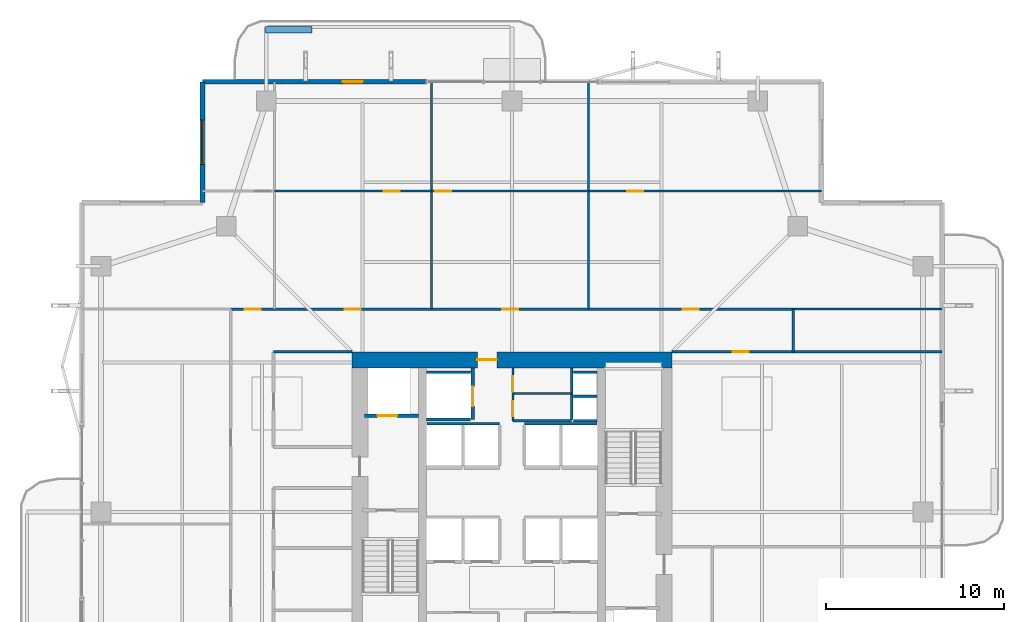
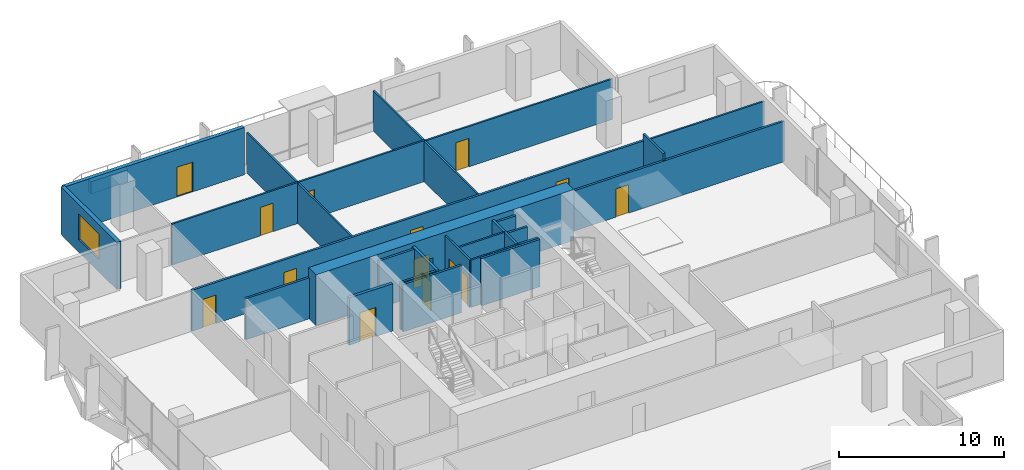
# One storey, part 20 of 25: 27 walls, 14 doors, 1 window, 15 openings.
"""IFC4 building model written with IfcOpenShell, lengths in metres."""

from ifc_helpers import new_model, si_unit, direction, frame, frame_2d, origin, place, context, subcontext, project, spatial, rectangle, extrude, material, layer, layer_set, type_object, element, fill, save


model = new_model("IFC4")

# Units and contexts
model_context = context("Model", 3, precision=1e-05, world=origin(), true_north=direction((0.0, 1.0)))
body_context = subcontext(model_context, "Body", "Model", "MODEL_VIEW")
ifc_project = project(units=[si_unit("LENGTHUNIT", "METRE"), si_unit("AREAUNIT", "SQUARE_METRE"), si_unit("VOLUMEUNIT", "CUBIC_METRE"), si_unit("PLANEANGLEUNIT", "RADIAN"), si_unit("MASSUNIT", "GRAM", prefix="KILO")], contexts=[model_context])

# Site, building, storey
site_placement = place(None, origin())
site = spatial("IfcSite", under=ifc_project, at=site_placement, CompositionType="ELEMENT")
building_placement = place(site_placement, origin())
building = spatial("IfcBuilding", under=site, at=building_placement, Name="Belovzor Exchange Tower", CompositionType="ELEMENT")
storey_placement = place(building_placement, frame((0.0, 0.0, 164.550048828125)))
storey = spatial("IfcBuildingStorey", under=building, at=storey_placement, Name="L40", CompositionType="ELEMENT", Elevation=164.550048828125)

# Wall, opening, door
ifc_material_1 = material(Name="Acoustic Plasterboard on Galvanised Studs", Category="gypsum")
ifc_layer_1 = layer(ifc_material_1, 0.1201171875)
ifc_layer_set_1 = layer_set([ifc_layer_1], Name="Acoustic Plasterboard on Galvanised Studs")
wall_type_1 = type_object("IfcWallType", Name="Acoustic Double-Stud Partition Wall 120", PredefinedType="PARTITIONING", material=ifc_layer_set_1)
wall_1_placement = place(storey_placement, frame((15.443115234375, 46.833984375, 0.0), z_axis=(0.0, 0.0, 1.0), x_axis=(1.0, 0.0, 0.0)))
wall_1 = element("IfcWall", 1, at=wall_1_placement, inside=storey, type_object=wall_type_1, Name="W-P120 Partition Wall W-L40-NHDIV-1", PredefinedType="PARTITIONING", context=body_context, shape_type="SweptSolid", body=[
    extrude(rectangle(XDim=8.830810546875, YDim=0.1201171875, at=frame_2d((4.41552734375, 0.0))), origin(), (0.0, 0.0, 1.0), 3.030029296875),
])
opening_1_placement = place(wall_1_placement, frame((6.162109375, 0.0, 0.0)))
opening_1 = element("IfcOpeningElement", 2, at=opening_1_placement, cuts=wall_1, Name="Opening D-INT-090", PredefinedType="OPENING", context=body_context, shape_type="SweptSolid", body=[
    extrude(rectangle(XDim=0.89990234375, YDim=2.10009765625, at=frame_2d((0.449951171875, 1.050048828125))), frame((0.0, 0.070068359375, 0.0), z_axis=(0.0, -1.0, 0.0), x_axis=(1.0, 0.0, 0.0)), (0.0, 0.0, 1.0), 0.14013671875),
])
ifc_material_2 = material(Name="Veneered Hardwood Acoustic Leaf", Category="wood")
door_type_1 = type_object("IfcDoorType", Name="Trading Suite Acoustic Single Door 900x2100", OperationType="NOTDEFINED", PredefinedType="DOOR", material=ifc_material_2)
door_1_placement = place(opening_1_placement, origin())
door_1 = element("IfcDoor", 3, at=door_1_placement, inside=storey, type_object=door_type_1, Name="D-INT-090 Trading Suite Acoustic Single Door 900x2100", OperationType="SINGLE_SWING_RIGHT", OverallHeight=2.10009765625, OverallWidth=0.89990234375, PredefinedType="DOOR", context=body_context, shape_type="SweptSolid", body=[
    extrude(rectangle(XDim=0.89990234375, YDim=2.10009765625, at=frame_2d((0.449951171875, 1.050048828125))), frame((0.0, 0.02490234375, 0.0), z_axis=(0.0, -1.0, 0.0), x_axis=(1.0, 0.0, 0.0)), (0.0, 0.0, 1.0), 0.050048828125),
])
fill(opening_1, door_1)

# Wall
wall_2_placement = place(storey_placement, frame((24.27392578125, 40.199951171875, 0.0), z_axis=(0.0, 0.0, 1.0), x_axis=(0.0, 1.0, 0.0)))
element("IfcWall", 4, at=wall_2_placement, inside=storey, type_object=wall_type_1, Name="W-P120 Partition Wall W-L40-NDIV-2", PredefinedType="PARTITIONING", context=body_context, shape_type="SweptSolid", body=[
    extrude(rectangle(XDim=12.77001953125, YDim=0.1201171875, at=frame_2d((6.385009765625, 0.0))), origin(), (0.0, 0.0, 1.0), 2.97998046875),
])

# Wall, opening, door
wall_3_placement = place(storey_placement, frame((24.27392578125, 46.833984375, 0.0), z_axis=(0.0, 0.0, 1.0), x_axis=(1.0, 0.0, 0.0)))
wall_3 = element("IfcWall", 5, at=wall_3_placement, inside=storey, type_object=wall_type_1, Name="W-P120 Partition Wall W-L40-NHDIV-2", PredefinedType="PARTITIONING", context=body_context, shape_type="SweptSolid", body=[
    extrude(rectangle(XDim=8.8310546875, YDim=0.1201171875, at=frame_2d((4.41552734375, 0.0))), origin(), (0.0, 0.0, 1.0), 3.030029296875),
])
opening_2_placement = place(wall_3_placement, frame((0.199951171875, 0.0, 0.0)))
opening_2 = element("IfcOpeningElement", 6, at=opening_2_placement, cuts=wall_3, Name="Opening D-INT-090", PredefinedType="OPENING", context=body_context, shape_type="SweptSolid", body=[
    extrude(rectangle(XDim=0.89990234375, YDim=2.10009765625, at=frame_2d((0.449951171875, 1.050048828125))), frame((0.0, 0.070068359375, 0.0), z_axis=(0.0, -1.0, 0.0), x_axis=(1.0, 0.0, 0.0)), (0.0, 0.0, 1.0), 0.14013671875),
])
door_2_placement = place(opening_2_placement, origin())
door_2 = element("IfcDoor", 7, at=door_2_placement, inside=storey, type_object=door_type_1, Name="D-INT-090 Trading Suite Acoustic Single Door 900x2100", OperationType="SINGLE_SWING_RIGHT", OverallHeight=2.10009765625, OverallWidth=0.89990234375, PredefinedType="DOOR", context=body_context, shape_type="SweptSolid", body=[
    extrude(rectangle(XDim=0.89990234375, YDim=2.10009765625, at=frame_2d((0.449951171875, 1.050048828125))), frame((0.0, 0.02490234375, 0.0), z_axis=(0.0, -1.0, 0.0), x_axis=(1.0, 0.0, 0.0)), (0.0, 0.0, 1.0), 0.050048828125),
])
fill(opening_2, door_2)

# Wall
wall_4_placement = place(storey_placement, frame((33.10498046875, 40.199951171875, 0.0), z_axis=(0.0, 0.0, 1.0), x_axis=(0.0, 1.0, 0.0)))
element("IfcWall", 8, at=wall_4_placement, inside=storey, type_object=wall_type_1, Name="W-P120 Partition Wall W-L40-NDIV-3", PredefinedType="PARTITIONING", context=body_context, shape_type="SweptSolid", body=[
    extrude(rectangle(XDim=12.77001953125, YDim=0.1201171875, at=frame_2d((6.385009765625, 0.0))), origin(), (0.0, 0.0, 1.0), 2.97998046875),
])

# Wall, opening, door
wall_5_placement = place(storey_placement, frame((33.10498046875, 46.833984375, 0.0), z_axis=(0.0, 0.0, 1.0), x_axis=(1.0, 0.0, 0.0)))
wall_5 = element("IfcWall", 9, at=wall_5_placement, inside=storey, type_object=wall_type_1, Name="W-P120 Partition Wall W-L40-NHDIV-3", PredefinedType="PARTITIONING", context=body_context, shape_type="SweptSolid", body=[
    extrude(rectangle(XDim=13.094970703125, YDim=0.1201171875, at=frame_2d((6.54736328125, 0.0))), origin(), (0.0, 0.0, 1.0), 2.97998046875),
])
opening_3_placement = place(wall_5_placement, frame((2.166015625, 0.0, 0.0)))
opening_3 = element("IfcOpeningElement", 10, at=opening_3_placement, cuts=wall_5, Name="Opening D-INT-090", PredefinedType="OPENING", context=body_context, shape_type="SweptSolid", body=[
    extrude(rectangle(XDim=0.89990234375, YDim=2.10009765625, at=frame_2d((0.449951171875, 1.050048828125))), frame((0.0, 0.070068359375, 0.0), z_axis=(0.0, -1.0, 0.0), x_axis=(1.0, 0.0, 0.0)), (0.0, 0.0, 1.0), 0.14013671875),
])
door_3_placement = place(opening_3_placement, origin())
door_3 = element("IfcDoor", 11, at=door_3_placement, inside=storey, type_object=door_type_1, Name="D-INT-090 Trading Suite Acoustic Single Door 900x2100", OperationType="SINGLE_SWING_RIGHT", OverallHeight=2.10009765625, OverallWidth=0.89990234375, PredefinedType="DOOR", context=body_context, shape_type="SweptSolid", body=[
    extrude(rectangle(XDim=0.89990234375, YDim=2.10009765625, at=frame_2d((0.449951171875, 1.050048828125))), frame((0.0, 0.02490234375, 0.0), z_axis=(0.0, -1.0, 0.0), x_axis=(1.0, 0.0, 0.0)), (0.0, 0.0, 1.0), 0.050048828125),
])
fill(opening_3, door_3)

# Wall
wall_6_placement = place(storey_placement, frame((44.60009765625, 40.199951171875, 0.0), z_axis=(0.0, 0.0, 1.0), x_axis=(1.0, 0.0, 0.0)))
element("IfcWall", 12, at=wall_6_placement, inside=storey, type_object=wall_type_1, Name="W-P120 Partition Wall W-L40-END-NE", PredefinedType="PARTITIONING", context=body_context, shape_type="SweptSolid", body=[
    extrude(rectangle(XDim=8.369873046875, YDim=0.1201171875, at=frame_2d((4.18505859375, 0.0))), origin(), (0.0, 0.0, 1.0), 2.97998046875),
])

# Wall, openings, doors
ifc_material_3 = material(Name="Fire-Rated Plasterboard on Galvanised Studs", Category="gypsum")
ifc_layer_2 = layer(ifc_material_3, 0.1201171875)
ifc_layer_set_2 = layer_set([ifc_layer_2], Name="Fire-Rated Plasterboard on Galvanised Studs")
wall_type_2 = type_object("IfcWallType", Name="Fire-Rated Double-Stud Partition Wall 120", PredefinedType="PARTITIONING", material=ifc_layer_set_2)
wall_7_placement = place(storey_placement, frame((28.85009765625, 33.925048828125, 0.0), z_axis=(0.0, 0.0, 1.0), x_axis=(0.0, 1.0, 0.0)))
wall_7 = element("IfcWall", 13, at=wall_7_placement, inside=storey, type_object=wall_type_2, Name="W-P120F Partition Wall W-CRV-L40-W", PredefinedType="PARTITIONING", context=body_context, shape_type="SweptSolid", body=[
    extrude(rectangle(XDim=2.974853515625, YDim=0.1201171875, at=frame_2d((1.4873046875, 0.0))), origin(), (0.0, 0.0, 1.0), 3.494873046875),
])
opening_4_placement = place(wall_7_placement, frame((0.25, 0.0, 0.0)))
opening_4 = element("IfcOpeningElement", 14, at=opening_4_placement, cuts=wall_7, Name="Opening D-FD60-085", PredefinedType="OPENING", context=body_context, shape_type="SweptSolid", body=[
    extrude(rectangle(XDim=0.85009765625, YDim=2.10009765625, at=frame_2d((0.425048828125, 1.050048828125))), frame((0.0, 0.070068359375, 0.0), z_axis=(0.0, -1.0, 0.0), x_axis=(1.0, 0.0, 0.0)), (0.0, 0.0, 1.0), 0.14013671875),
])
opening_5_placement = place(wall_7_placement, frame((1.64501953125, 0.0, 0.0)))
opening_5 = element("IfcOpeningElement", 15, at=opening_5_placement, cuts=wall_7, Name="Opening D-FD60-085", PredefinedType="OPENING", context=body_context, shape_type="SweptSolid", body=[
    extrude(rectangle(XDim=0.85009765625, YDim=2.10009765625, at=frame_2d((0.425048828125, 1.050048828125))), frame((0.0, 0.070068359375, 0.0), z_axis=(0.0, -1.0, 0.0), x_axis=(1.0, 0.0, 0.0)), (0.0, 0.0, 1.0), 0.14013671875),
])
ifc_material_4 = material(Name="Fire-Rated Steel Access Leaf", Category="steel")
door_type_2 = type_object("IfcDoorType", Name="Riser & Meter Closet Access Fire Door 850x2100", OperationType="NOTDEFINED", PredefinedType="DOOR", material=ifc_material_4)
door_4_placement = place(opening_4_placement, origin())
door_4 = element("IfcDoor", 16, at=door_4_placement, inside=storey, type_object=door_type_2, Name="D-FD60-085 Riser & Meter Closet Access Fire Door 850x2100", OperationType="SINGLE_SWING_LEFT", OverallHeight=2.10009765625, OverallWidth=0.85009765625, PredefinedType="DOOR", context=body_context, shape_type="SweptSolid", body=[
    extrude(rectangle(XDim=0.85009765625, YDim=2.10009765625, at=frame_2d((0.425048828125, 1.050048828125))), frame((0.0, 0.02490234375, 0.0), z_axis=(0.0, -1.0, 0.0), x_axis=(1.0, 0.0, 0.0)), (0.0, 0.0, 1.0), 0.050048828125),
])
fill(opening_4, door_4)
door_5_placement = place(opening_5_placement, origin())
door_5 = element("IfcDoor", 17, at=door_5_placement, inside=storey, type_object=door_type_2, Name="D-FD60-085 Riser & Meter Closet Access Fire Door 850x2100", OperationType="SINGLE_SWING_RIGHT", OverallHeight=2.10009765625, OverallWidth=0.85009765625, PredefinedType="DOOR", context=body_context, shape_type="SweptSolid", body=[
    extrude(rectangle(XDim=0.85009765625, YDim=2.10009765625, at=frame_2d((0.425048828125, 1.050048828125))), frame((0.0, 0.02490234375, 0.0), z_axis=(0.0, -1.0, 0.0), x_axis=(1.0, 0.0, 0.0)), (0.0, 0.0, 1.0), 0.050048828125),
])
fill(opening_5, door_5)

# Walls
for number, where, z_axis, x_axis, name in (
    (18, (28.85009765625, 35.449951171875, 0.0), (0.0, 0.0, 1.0), (1.0, 0.0, 0.0), "W-P120F Partition Wall W-CRV-L40-M"),
    (19, (28.85009765625, 33.925048828125, 0.0), (0.0, 0.0, 1.0), (1.0, 0.0, 0.0), "W-P120F Partition Wall W-CRV-L40-S"),
):
    element("IfcWall", number, at=place(storey_placement, frame(where, z_axis=z_axis, x_axis=x_axis)), inside=storey, type_object=wall_type_2, Name=name, PredefinedType="PARTITIONING", context=body_context, shape_type="SweptSolid", body=[
        extrude(rectangle(XDim=3.2998046875, YDim=0.1201171875, at=frame_2d((1.64990234375, 0.0))), origin(), (0.0, 0.0, 1.0), 3.494873046875),
    ])
ifc_material_5 = material(Name="Fire-Rated Gypsum Block and Mineral Wool", Category="gypsum")
ifc_layer_3 = layer(ifc_material_5, 0.14990234375)
ifc_layer_set_3 = layer_set([ifc_layer_3], Name="Fire-Rated Gypsum Block and Mineral Wool")
wall_type_3 = type_object("IfcWallType", Name="Fire-Rated Gypsum Block Corridor Wall 150", PredefinedType="PARTITIONING", material=ifc_layer_set_3)
wall_8_placement = place(storey_placement, frame((15.39990234375, 37.800048828125, 0.0), z_axis=(0.0, 0.0, 1.0), x_axis=(1.0, 0.0, 0.0)))
element("IfcWall", 20, at=wall_8_placement, inside=storey, type_object=wall_type_3, Name="W-P150 Partition Wall W-L40-INW-N", PredefinedType="PARTITIONING", context=body_context, shape_type="SweptSolid", body=[
    extrude(rectangle(XDim=4.400146484375, YDim=0.14990234375, at=frame_2d((2.2001953125, 0.0))), origin(), (0.0, 0.0, 1.0), 3.030029296875),
])
wall_9_placement = place(storey_placement, frame((44.60009765625, 37.800048828125, 0.0), z_axis=(0.0, 0.0, 1.0), x_axis=(0.0, 1.0, 0.0)))
element("IfcWall", 21, at=wall_9_placement, inside=storey, type_object=wall_type_3, Name="W-P150 Partition Wall W-L40-END-EN", PredefinedType="PARTITIONING", context=body_context, shape_type="SweptSolid", body=[
    extrude(rectangle(XDim=2.39990234375, YDim=0.14990234375, at=frame_2d((1.199951171875, 0.0))), origin(), (0.0, 0.0, 1.0), 3.494873046875),
])

# Wall, opening, door
wall_10_placement = place(storey_placement, frame((37.800048828125, 37.800048828125, 0.0), z_axis=(0.0, 0.0, 1.0), x_axis=(1.0, 0.0, 0.0)))
wall_10 = element("IfcWall", 22, at=wall_10_placement, inside=storey, type_object=wall_type_3, Name="W-P150 Partition Wall W-L40-CN-IN", PredefinedType="PARTITIONING", context=body_context, shape_type="SweptSolid", body=[
    extrude(rectangle(XDim=15.169921875, YDim=0.14990234375, at=frame_2d((7.5849609375, 0.0))), origin(), (0.0, 0.0, 1.0), 2.97998046875),
])
opening_6_placement = place(wall_10_placement, frame((3.39990234375, 0.0, 0.0)))
opening_6 = element("IfcOpeningElement", 23, at=opening_6_placement, cuts=wall_10, Name="Opening D-INT-090", PredefinedType="OPENING", context=body_context, shape_type="SweptSolid", body=[
    extrude(rectangle(XDim=0.89990234375, YDim=2.10009765625, at=frame_2d((0.449951171875, 1.050048828125))), frame((0.0, 0.0849609375, 0.0), z_axis=(0.0, -1.0, 0.0), x_axis=(1.0, 0.0, 0.0)), (0.0, 0.0, 1.0), 0.169921875),
])
door_6_placement = place(opening_6_placement, origin())
door_6 = element("IfcDoor", 24, at=door_6_placement, inside=storey, type_object=door_type_1, Name="D-INT-090 Trading Suite Acoustic Single Door 900x2100", OperationType="SINGLE_SWING_RIGHT", OverallHeight=2.10009765625, OverallWidth=0.89990234375, PredefinedType="DOOR", context=body_context, shape_type="SweptSolid", body=[
    extrude(rectangle(XDim=0.89990234375, YDim=2.10009765625, at=frame_2d((0.449951171875, 1.050048828125))), frame((0.0, 0.02490234375, 0.0), z_axis=(0.0, -1.0, 0.0), x_axis=(1.0, 0.0, 0.0)), (0.0, 0.0, 1.0), 0.050048828125),
])
fill(opening_6, door_6)

# Wall, openings, doors
wall_11_placement = place(storey_placement, frame((13.0, 40.199951171875, 0.0), z_axis=(0.0, 0.0, 1.0), x_axis=(1.0, 0.0, 0.0)))
wall_11 = element("IfcWall", 25, at=wall_11_placement, inside=storey, type_object=wall_type_3, Name="W-P150 Partition Wall W-L40-CN", PredefinedType="PARTITIONING", context=body_context, shape_type="SweptSolid", body=[
    extrude(rectangle(XDim=31.60009765625, YDim=0.14990234375, at=frame_2d((15.800048828125, 0.0))), origin(), (0.0, 0.0, 1.0), 3.030029296875),
])
opening_7_placement = place(wall_11_placement, frame((0.77099609375, 0.0, 0.0)))
opening_7 = element("IfcOpeningElement", 26, at=opening_7_placement, cuts=wall_11, Name="Opening D-INT-090", PredefinedType="OPENING", context=body_context, shape_type="SweptSolid", body=[
    extrude(rectangle(XDim=0.89990234375, YDim=2.10009765625, at=frame_2d((0.449951171875, 1.050048828125))), frame((0.0, 0.0849609375, 0.0), z_axis=(0.0, -1.0, 0.0), x_axis=(1.0, 0.0, 0.0)), (0.0, 0.0, 1.0), 0.169921875),
])
opening_8_placement = place(wall_11_placement, frame((6.408935546875, 0.0, 0.0)))
opening_8 = element("IfcOpeningElement", 27, at=opening_8_placement, cuts=wall_11, Name="Opening D-INT-090", PredefinedType="OPENING", context=body_context, shape_type="SweptSolid", body=[
    extrude(rectangle(XDim=0.89990234375, YDim=2.10009765625, at=frame_2d((0.449951171875, 1.050048828125))), frame((0.0, 0.0849609375, 0.0), z_axis=(0.0, -1.0, 0.0), x_axis=(1.0, 0.0, 0.0)), (0.0, 0.0, 1.0), 0.169921875),
])
opening_9_placement = place(wall_11_placement, frame((15.239013671875, 0.0, 0.0)))
opening_9 = element("IfcOpeningElement", 28, at=opening_9_placement, cuts=wall_11, Name="Opening D-INT-090", PredefinedType="OPENING", context=body_context, shape_type="SweptSolid", body=[
    extrude(rectangle(XDim=0.89990234375, YDim=2.10009765625, at=frame_2d((0.449951171875, 1.050048828125))), frame((0.0, 0.0849609375, 0.0), z_axis=(0.0, -1.0, 0.0), x_axis=(1.0, 0.0, 0.0)), (0.0, 0.0, 1.0), 0.169921875),
])
opening_10_placement = place(wall_11_placement, frame((25.402099609375, 0.0, 0.0)))
opening_10 = element("IfcOpeningElement", 29, at=opening_10_placement, cuts=wall_11, Name="Opening D-INT-090", PredefinedType="OPENING", context=body_context, shape_type="SweptSolid", body=[
    extrude(rectangle(XDim=0.89990234375, YDim=2.10009765625, at=frame_2d((0.449951171875, 1.050048828125))), frame((0.0, 0.0849609375, 0.0), z_axis=(0.0, -1.0, 0.0), x_axis=(1.0, 0.0, 0.0)), (0.0, 0.0, 1.0), 0.169921875),
])
door_7_placement = place(opening_7_placement, origin())
door_7 = element("IfcDoor", 30, at=door_7_placement, inside=storey, type_object=door_type_1, Name="D-INT-090 Trading Suite Acoustic Single Door 900x2100", OperationType="SINGLE_SWING_RIGHT", OverallHeight=2.10009765625, OverallWidth=0.89990234375, PredefinedType="DOOR", context=body_context, shape_type="SweptSolid", body=[
    extrude(rectangle(XDim=0.89990234375, YDim=2.10009765625, at=frame_2d((0.449951171875, 1.050048828125))), frame((0.0, 0.02490234375, 0.0), z_axis=(0.0, -1.0, 0.0), x_axis=(1.0, 0.0, 0.0)), (0.0, 0.0, 1.0), 0.050048828125),
])
fill(opening_7, door_7)
door_8_placement = place(opening_8_placement, origin())
door_8 = element("IfcDoor", 31, at=door_8_placement, inside=storey, type_object=door_type_1, Name="D-INT-090 Trading Suite Acoustic Single Door 900x2100", OperationType="SINGLE_SWING_LEFT", OverallHeight=2.10009765625, OverallWidth=0.89990234375, PredefinedType="DOOR", context=body_context, shape_type="SweptSolid", body=[
    extrude(rectangle(XDim=0.89990234375, YDim=2.10009765625, at=frame_2d((0.449951171875, 1.050048828125))), frame((0.0, 0.02490234375, 0.0), z_axis=(0.0, -1.0, 0.0), x_axis=(1.0, 0.0, 0.0)), (0.0, 0.0, 1.0), 0.050048828125),
])
fill(opening_8, door_8)
door_9_placement = place(opening_9_placement, origin())
door_9 = element("IfcDoor", 32, at=door_9_placement, inside=storey, type_object=door_type_1, Name="D-INT-090 Trading Suite Acoustic Single Door 900x2100", OperationType="SINGLE_SWING_RIGHT", OverallHeight=2.10009765625, OverallWidth=0.89990234375, PredefinedType="DOOR", context=body_context, shape_type="SweptSolid", body=[
    extrude(rectangle(XDim=0.89990234375, YDim=2.10009765625, at=frame_2d((0.449951171875, 1.050048828125))), frame((0.0, 0.02490234375, 0.0), z_axis=(0.0, -1.0, 0.0), x_axis=(1.0, 0.0, 0.0)), (0.0, 0.0, 1.0), 0.050048828125),
])
fill(opening_9, door_9)
door_10_placement = place(opening_10_placement, origin())
door_10 = element("IfcDoor", 33, at=door_10_placement, inside=storey, type_object=door_type_1, Name="D-INT-090 Trading Suite Acoustic Single Door 900x2100", OperationType="SINGLE_SWING_LEFT", OverallHeight=2.10009765625, OverallWidth=0.89990234375, PredefinedType="DOOR", context=body_context, shape_type="SweptSolid", body=[
    extrude(rectangle(XDim=0.89990234375, YDim=2.10009765625, at=frame_2d((0.449951171875, 1.050048828125))), frame((0.0, 0.02490234375, 0.0), z_axis=(0.0, -1.0, 0.0), x_axis=(1.0, 0.0, 0.0)), (0.0, 0.0, 1.0), 0.050048828125),
])
fill(opening_10, door_10)

# Wall, opening, window
ifc_material_6 = material(Name="Precast concrete C40/50", Category="concrete")
ifc_layer_4 = layer(ifc_material_6, 0.280029296875)
ifc_layer_set_4 = layer_set([ifc_layer_4], Name="Precast concrete C40/50")
wall_type_4 = type_object("IfcWallType", Name="Precast Concrete Notched Corner Frame Wall 280", PredefinedType="SOLIDWALL", material=ifc_layer_set_4)
wall_12_placement = place(storey_placement, frame((11.39990234375, 46.199951171875, 0.0), z_axis=(0.0, 0.0, 1.0), x_axis=(0.0, 1.0, 0.0)))
wall_12 = element("IfcWall", 34, at=wall_12_placement, inside=storey, type_object=wall_type_4, Name="W-CRN280 Precast Concrete Notched Corner Frame Wall 280 L40", PredefinedType="SOLIDWALL", context=body_context, shape_type="SweptSolid", body=[
    extrude(rectangle(XDim=6.77001953125, YDim=0.280029296875, at=frame_2d((3.385009765625, 0.0))), origin(), (0.0, 0.0, 1.0), 3.494873046875),
])
opening_11_placement = place(wall_12_placement, frame((2.135009765625, 0.0, 0.89990234375)))
opening_11 = element("IfcOpeningElement", 35, at=opening_11_placement, cuts=wall_12, Name="Opening WN-CRN250", PredefinedType="OPENING", context=body_context, shape_type="SweptSolid", body=[
    extrude(rectangle(XDim=2.5, YDim=1.89990234375, at=frame_2d((1.25, 0.949951171875))), frame((0.0, 0.14990234375, 0.0), z_axis=(0.0, -1.0, 0.0), x_axis=(1.0, 0.0, 0.0)), (0.0, 0.0, 1.0), 0.300048828125),
])
ifc_material_7 = material(Name="Thermally Broken Aluminium and Triple Glazing", Category="aluminium")
window_type = type_object("IfcWindowType", Name="Streamline Moderne Corner Wrap Ribbon Window 2500x1900", PartitioningType="SINGLE_PANEL", PredefinedType="WINDOW", material=ifc_material_7)
window_placement = place(opening_11_placement, origin())
window = element("IfcWindow", 36, at=window_placement, inside=storey, type_object=window_type, Name="WN-CRN250 Streamline Moderne Corner Wrap Ribbon Window 2500x1900", OverallHeight=1.89990234375, OverallWidth=2.5, PartitioningType="SINGLE_PANEL", PredefinedType="WINDOW", context=body_context, shape_type="SweptSolid", body=[
    extrude(rectangle(XDim=2.5, YDim=1.89990234375, at=frame_2d((1.25, 0.949951171875))), frame((0.0, 0.030029296875, 0.0), z_axis=(0.0, -1.0, 0.0), x_axis=(1.0, 0.0, 0.0)), (0.0, 0.0, 1.0), 0.06005859375),
])
fill(opening_11, window)

# Wall, opening, door
ifc_material_8 = material(Name="Precast concrete C40/50", Category="concrete")
ifc_layer_5 = layer(ifc_material_8, 0.260009765625)
ifc_layer_set_5 = layer_set([ifc_layer_5], Name="Precast concrete C40/50")
wall_type_5 = type_object("IfcWallType", Name="Precast Concrete Perimeter Loggia Frame Wall 260", PredefinedType="SOLIDWALL", material=ifc_layer_set_5)
wall_13_placement = place(storey_placement, frame((11.39990234375, 52.969970703125, 0.0), z_axis=(0.0, 0.0, 1.0), x_axis=(1.0, 0.0, 0.0)))
wall_13 = element("IfcWall", 37, at=wall_13_placement, inside=storey, type_object=wall_type_5, Name="W-EXT260 Precast Concrete Perimeter Loggia Frame Wall 260 L40", PredefinedType="SOLIDWALL", context=body_context, shape_type="SweptSolid", body=[
    extrude(rectangle(XDim=12.60009765625, YDim=0.260009765625, at=frame_2d((6.300048828125, 0.0))), origin(), (0.0, 0.0, 1.0), 3.494873046875),
])
opening_12_placement = place(wall_13_placement, frame((7.90087890625, 0.0, 0.0)))
opening_12 = element("IfcOpeningElement", 38, at=opening_12_placement, cuts=wall_13, Name="Opening D-BAL110", PredefinedType="OPENING", context=body_context, shape_type="SweptSolid", body=[
    extrude(rectangle(XDim=1.10009765625, YDim=2.199951171875, at=frame_2d((0.550048828125, 1.10009765625))), frame((0.0, 0.139892578125, 0.0), z_axis=(0.0, -1.0, 0.0), x_axis=(1.0, 0.0, 0.0)), (0.0, 0.0, 1.0), 0.280029296875),
])
ifc_material_9 = material(Name="Thermally Broken Anodised Aluminium and Laminated Glass", Category="aluminium")
door_type_3 = type_object("IfcDoorType", Name="Planted Loggia Terrace Glazed Door 1100x2200", OperationType="SINGLE_SWING_LEFT", PredefinedType="DOOR", material=ifc_material_9)
door_11_placement = place(opening_12_placement, origin())
door_11 = element("IfcDoor", 39, at=door_11_placement, inside=storey, type_object=door_type_3, Name="D-BAL110 Balcony Terrace Door L40 N", OperationType="SINGLE_SWING_RIGHT", OverallHeight=2.199951171875, OverallWidth=1.10009765625, PredefinedType="DOOR", context=body_context, shape_type="SweptSolid", body=[
    extrude(rectangle(XDim=1.10009765625, YDim=2.199951171875, at=frame_2d((0.550048828125, 1.10009765625))), frame((0.0, 0.02490234375, 0.0), z_axis=(0.0, -1.0, 0.0), x_axis=(1.0, 0.0, 0.0)), (0.0, 0.0, 1.0), 0.050048828125),
])
fill(opening_12, door_11)

# Walls
ifc_material_10 = material(Name="Precast concrete C40/50", Category="concrete")
ifc_layer_6 = layer(ifc_material_10, 0.35009765625)
ifc_layer_set_6 = layer_set([ifc_layer_6], Name="Precast concrete C40/50")
wall_type_6 = type_object("IfcWallType", Name="Precast Concrete Structural Tree Planter Trough 350", PredefinedType="PARAPET", material=ifc_layer_set_6)
wall_14_placement = place(storey_placement, frame((14.949951171875, 55.89990234375, 0.0), z_axis=(0.0, 0.0, 1.0), x_axis=(1.0, 0.0, 0.0)))
element("IfcWall", 40, at=wall_14_placement, inside=storey, type_object=wall_type_6, Name="PT-350 Precast Concrete Structural Tree Planter Trough 350 L40", PredefinedType="PARAPET", context=body_context, shape_type="SweptSolid", body=[
    extrude(rectangle(XDim=2.60009765625, YDim=0.35009765625, at=frame_2d((1.300048828125, 0.0))), origin(), (0.0, 0.0, 1.0), 0.89990234375),
])
ifc_material_11 = material(Name="Concrete C50/60", Category="concrete")
ifc_layer_7 = layer(ifc_material_11, 0.14990234375)
ifc_layer_set_7 = layer_set([ifc_layer_7], Name="Concrete C50/60")
wall_type_7 = type_object("IfcWallType", Name="Reinforced Concrete Core Riser Shear Wall 150", PredefinedType="SHEAR", material=ifc_layer_set_7)
wall_15_placement = place(storey_placement, frame((32.14990234375, 34.0, 0.0), z_axis=(0.0, 0.0, 1.0), x_axis=(0.0, 1.0, 0.0)))
element("IfcWall", 41, at=wall_15_placement, inside=storey, type_object=wall_type_7, Name="W-C150S Core Shaft Wall W-RSR-L40-E", PredefinedType="SHEAR", context=body_context, shape_type="SweptSolid", body=[
    extrude(rectangle(XDim=2.89990234375, YDim=0.14990234375, at=frame_2d((1.449951171875, 0.0))), origin(), (0.0, 0.0, 1.0), 3.494873046875),
])
for number, where, z_axis, x_axis, name in (
    (42, (32.25, 33.925048828125, 0.0), (0.0, 0.0, 1.0), (1.0, 0.0, 0.0), "W-C150S Core Shaft Wall W-RSR-L40-S"),
    (43, (32.25, 35.300048828125, 0.0), (0.0, 0.0, 1.0), (1.0, 0.0, 0.0), "W-C150S Core Shaft Wall W-RSR-L40-M"),
):
    element("IfcWall", number, at=place(storey_placement, frame(where, z_axis=z_axis, x_axis=x_axis)), inside=storey, type_object=wall_type_7, Name=name, PredefinedType="SHEAR", context=body_context, shape_type="SweptSolid", body=[
        extrude(rectangle(XDim=1.330078125, YDim=0.14990234375, at=frame_2d((0.6650390625, 0.0))), origin(), (0.0, 0.0, 1.0), 3.494873046875),
    ])
for number, where, z_axis, x_axis, name in (
    (44, (24.0, 34.0, 0.0), (0.0, 0.0, 1.0), (1.0, 0.0, 0.0), "W-C150S Core Shaft Wall W-SH-L40-SL-01S"),
    (45, (24.0, 36.64990234375, 0.0), (0.0, 0.0, 1.0), (1.0, 0.0, 0.0), "W-C150S Core Shaft Wall W-SH-L40-SL-01N"),
):
    element("IfcWall", number, at=place(storey_placement, frame(where, z_axis=z_axis, x_axis=x_axis)), inside=storey, type_object=wall_type_7, Name=name, PredefinedType="SHEAR", context=body_context, shape_type="SweptSolid", body=[
        extrude(rectangle(XDim=2.47998046875, YDim=0.14990234375, at=frame_2d((1.239990234375, 0.0))), origin(), (0.0, 0.0, 1.0), 3.494873046875),
    ])
wall_16_placement = place(storey_placement, frame((32.25, 36.64990234375, 0.0), z_axis=(0.0, 0.0, 1.0), x_axis=(1.0, 0.0, 0.0)))
element("IfcWall", 46, at=wall_16_placement, inside=storey, type_object=wall_type_7, Name="W-C150S Core Shaft Wall W-RSR-L40-N", PredefinedType="SHEAR", context=body_context, shape_type="SweptSolid", body=[
    extrude(rectangle(XDim=1.330078125, YDim=0.14990234375, at=frame_2d((0.6650390625, 0.0))), origin(), (0.0, 0.0, 1.0), 3.494873046875),
])
for number, where, z_axis, x_axis, name in (
    (47, (24.02001953125, 33.760009765625, 0.0), (0.0, 0.0, 1.0), (1.0, 0.0, 0.0), "W-C150S Core Shaft Wall W-SHB-L40-PLH-NW"),
    (48, (29.5, 33.760009765625, 0.0), (0.0, 0.0, 1.0), (1.0, 0.0, 0.0), "W-C150S Core Shaft Wall W-SHB-L40-PLH-NE"),
):
    element("IfcWall", number, at=place(storey_placement, frame(where, z_axis=z_axis, x_axis=x_axis)), inside=storey, type_object=wall_type_7, Name=name, PredefinedType="SHEAR", context=body_context, shape_type="SweptSolid", body=[
        extrude(rectangle(XDim=4.080078125, YDim=0.14990234375, at=frame_2d((2.0400390625, 0.0))), origin(), (0.0, 0.0, 1.0), 3.494873046875),
    ])

# Wall, opening, door
ifc_material_12 = material(Name="Concrete C50/60", Category="concrete")
ifc_layer_8 = layer(ifc_material_12, 0.199951171875)
ifc_layer_set_8 = layer_set([ifc_layer_8], Name="Concrete C50/60")
wall_type_8 = type_object("IfcWallType", Name="Reinforced Concrete Core Shaft Shear Wall 200", PredefinedType="SHEAR", material=ifc_layer_set_8)
wall_17_placement = place(storey_placement, frame((20.5, 34.199951171875, 0.0), z_axis=(0.0, 0.0, 1.0), x_axis=(1.0, 0.0, 0.0)))
wall_17 = element("IfcWall", 49, at=wall_17_placement, inside=storey, type_object=wall_type_8, Name="W-C200S Core Shaft Wall W-SH-L40-FFL-01", PredefinedType="SHEAR", context=body_context, shape_type="SweptSolid", body=[
    extrude(rectangle(XDim=3.050048828125, YDim=0.199951171875, at=frame_2d((1.52490234375, 0.0))), origin(), (0.0, 0.0, 1.0), 3.494873046875),
])
opening_13_placement = place(wall_17_placement, frame((0.75, 0.0, 0.0)))
opening_13 = element("IfcOpeningElement", 50, at=opening_13_placement, cuts=wall_17, Name="Opening LD-110", PredefinedType="OPENING", context=body_context, shape_type="SweptSolid", body=[
    extrude(rectangle(XDim=1.10009765625, YDim=2.14990234375, at=frame_2d((0.550048828125, 1.074951171875))), frame((0.0, 0.10986328125, 0.0), z_axis=(0.0, -1.0, 0.0), x_axis=(1.0, 0.0, 0.0)), (0.0, 0.0, 1.0), 0.219970703125),
])
ifc_material_13 = material(Name="Stainless Steel Grade 304", Category="steel")
door_type_4 = type_object("IfcDoorType", Name="Automated Stainless Steel Lift Landing Door 1100x2150", OperationType="SLIDING_TO_RIGHT", PredefinedType="DOOR", material=ifc_material_13)
door_12_placement = place(opening_13_placement, origin())
door_12 = element("IfcDoor", 51, at=door_12_placement, inside=storey, type_object=door_type_4, Name="LD-110 Automated Stainless Steel Lift Landing Door 1100x2150", OperationType="SLIDING_TO_RIGHT", OverallHeight=2.14990234375, OverallWidth=1.10009765625, PredefinedType="DOOR", context=body_context, shape_type="SweptSolid", body=[
    extrude(rectangle(XDim=1.10009765625, YDim=2.14990234375, at=frame_2d((0.550048828125, 1.074951171875))), frame((0.0, 0.02490234375, 0.0), z_axis=(0.0, -1.0, 0.0), x_axis=(1.0, 0.0, 0.0)), (0.0, 0.0, 1.0), 0.050048828125),
])
fill(opening_13, door_12)

wall_18_placement = place(storey_placement, frame((26.60009765625, 34.0, 0.0), z_axis=(0.0, 0.0, 1.0), x_axis=(0.0, 1.0, 0.0)))
wall_18 = element("IfcWall", 52, at=wall_18_placement, inside=storey, type_object=wall_type_8, Name="W-C200S Core Shaft Wall W-SH-L40-SL-01", PredefinedType="SHEAR", context=body_context, shape_type="SweptSolid", body=[
    extrude(rectangle(XDim=2.89990234375, YDim=0.199951171875, at=frame_2d((1.449951171875, 0.0))), origin(), (0.0, 0.0, 1.0), 3.494873046875),
])
opening_14_placement = place(wall_18_placement, frame((0.75, 0.0, 0.0)))
opening_14 = element("IfcOpeningElement", 53, at=opening_14_placement, cuts=wall_18, Name="Opening LD-110", PredefinedType="OPENING", context=body_context, shape_type="SweptSolid", body=[
    extrude(rectangle(XDim=1.10009765625, YDim=2.14990234375, at=frame_2d((0.550048828125, 1.074951171875))), frame((0.0, 0.10986328125, 0.0), z_axis=(0.0, -1.0, 0.0), x_axis=(1.0, 0.0, 0.0)), (0.0, 0.0, 1.0), 0.219970703125),
])
door_13_placement = place(opening_14_placement, origin())
door_13 = element("IfcDoor", 54, at=door_13_placement, inside=storey, type_object=door_type_4, Name="LD-110 Automated Stainless Steel Lift Landing Door 1100x2150", OperationType="SLIDING_TO_RIGHT", OverallHeight=2.14990234375, OverallWidth=1.10009765625, PredefinedType="DOOR", context=body_context, shape_type="SweptSolid", body=[
    extrude(rectangle(XDim=1.10009765625, YDim=2.14990234375, at=frame_2d((0.550048828125, 1.074951171875))), frame((0.0, 0.02490234375, 0.0), z_axis=(0.0, -1.0, 0.0), x_axis=(1.0, 0.0, 0.0)), (0.0, 0.0, 1.0), 0.050048828125),
])
fill(opening_14, door_13)

ifc_material_14 = material(Name="Concrete C60/75", Category="concrete")
ifc_layer_9 = layer(ifc_material_14, 0.89990234375)
ifc_layer_set_9 = layer_set([ifc_layer_9], Name="Concrete C60/75")
wall_type_9 = type_object("IfcWallType", Name="Reinforced Concrete Core Shear Wall 900", PredefinedType="SHEAR", material=ifc_layer_set_9)
wall_19_placement = place(storey_placement, frame((19.800048828125, 37.35009765625, 0.0), z_axis=(0.0, 0.0, 1.0), x_axis=(1.0, 0.0, 0.0)))
wall_19 = element("IfcWall", 55, at=wall_19_placement, inside=storey, type_object=wall_type_9, Name="CW-S090 Core Shear Wall L40 N", PredefinedType="SHEAR", context=body_context, shape_type="SweptSolid", body=[
    extrude(rectangle(XDim=18.0, YDim=0.89990234375, at=frame_2d((9.0, 0.0))), origin(), (0.0, 0.0, 1.0), 3.75),
])
opening_15_placement = place(wall_19_placement, frame((7.050048828125, 0.0, 0.0)))
opening_15 = element("IfcOpeningElement", 56, at=opening_15_placement, cuts=wall_19, Name="Opening D-FD90-110", PredefinedType="OPENING", context=body_context, shape_type="SweptSolid", body=[
    extrude(rectangle(XDim=1.10009765625, YDim=2.14990234375, at=frame_2d((0.550048828125, 1.074951171875))), frame((0.0, 0.4599609375, 0.0), z_axis=(0.0, -1.0, 0.0), x_axis=(1.0, 0.0, 0.0)), (0.0, 0.0, 1.0), 0.919921875),
])
ifc_material_15 = material(Name="Fire-Rated Galvanised Steel Leaf", Category="steel")
door_type_5 = type_object("IfcDoorType", Name="Protected Escape Vestibule Fire Door 1100x2150", OperationType="NOTDEFINED", PredefinedType="DOOR", material=ifc_material_15)
door_14_placement = place(opening_15_placement, origin())
door_14 = element("IfcDoor", 57, at=door_14_placement, inside=storey, type_object=door_type_5, Name="D-FD90-110 Protected Escape Vestibule Fire Door 1100x2150", OperationType="SINGLE_SWING_RIGHT", OverallHeight=2.14990234375, OverallWidth=1.10009765625, PredefinedType="DOOR", context=body_context, shape_type="SweptSolid", body=[
    extrude(rectangle(XDim=1.10009765625, YDim=2.14990234375, at=frame_2d((0.550048828125, 1.074951171875))), frame((0.0, 0.02490234375, 0.0), z_axis=(0.0, -1.0, 0.0), x_axis=(1.0, 0.0, 0.0)), (0.0, 0.0, 1.0), 0.050048828125),
])
fill(opening_15, door_14)

save(model, "model.ifc")
